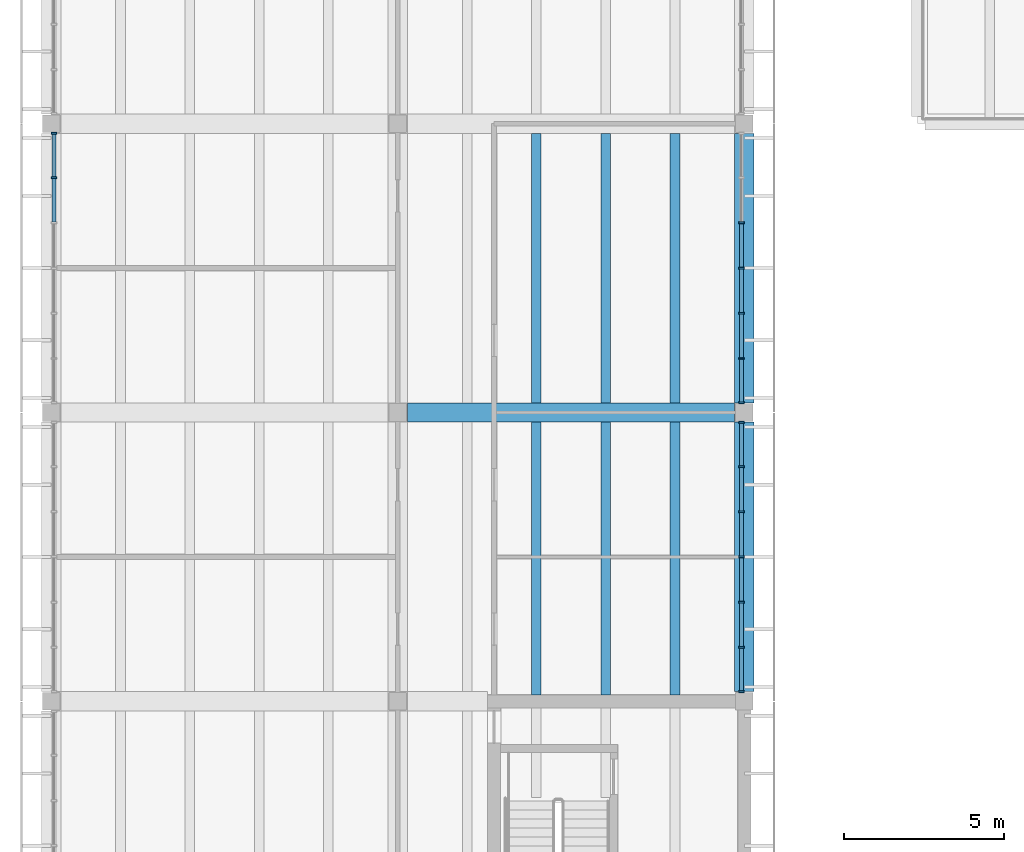
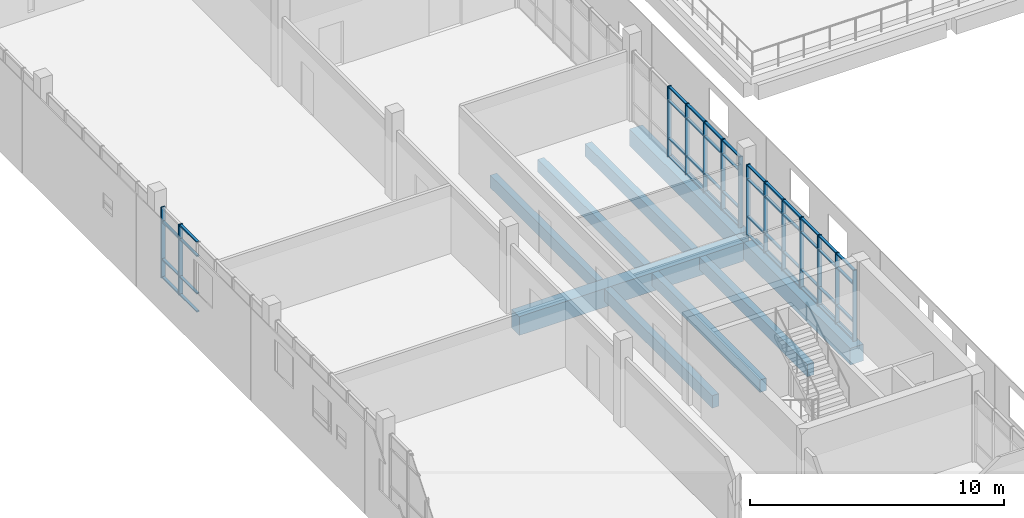
# One storey, part 18 of 74: 61 members, 9 beams, 3 elements without a shape of their own.
"""IFC4 building model written with IfcOpenShell, lengths in metres."""

from ifc_helpers import new_model, si_unit, direction, frame, origin, origin_2d, place, context, subcontext, project, spatial, rectangle, extrude, material, material_profile, profile_set, type_object, element, aggregate, save


model = new_model("IFC4")

# Units and contexts
model_context = context("Model", 3, precision=1e-05, world=origin(), true_north=direction((0.0, 1.0)))
body_context = subcontext(model_context, "Body", "Model", "MODEL_VIEW")
ifc_project = project(units=[si_unit("LENGTHUNIT", "METRE"), si_unit("AREAUNIT", "SQUARE_METRE"), si_unit("VOLUMEUNIT", "CUBIC_METRE"), si_unit("PLANEANGLEUNIT", "RADIAN"), si_unit("MASSUNIT", "GRAM", prefix="KILO")], contexts=[model_context])

# Site, building, storey
site_placement = place(None, origin())
site = spatial("IfcSite", under=ifc_project, at=site_placement, CompositionType="ELEMENT")
building_placement = place(site_placement, origin())
building = spatial("IfcBuilding", under=site, at=building_placement, Name="Merrow Basin Faculty of Sciences", CompositionType="ELEMENT")
storey_placement = place(building_placement, frame((0.0, 0.0, 13.5)))
storey = spatial("IfcBuildingStorey", under=building, at=storey_placement, Name="L03", CompositionType="ELEMENT", Elevation=13.5)

# Curtain wall, members
ifc_material_1 = material(Name="Aluminium alloy 6063", Category="aluminium")
curtain_wall_type = type_object("IfcCurtainWallType", Name="Bar unitised curtain wall 180", PredefinedType="NOTDEFINED", material=ifc_material_1)
curtain_wall_1_placement = place(storey_placement, origin())
curtain_wall_1 = element("IfcCurtainWall", 1, at=curtain_wall_1_placement, inside=storey, type_object=curtain_wall_type, Name="West curtain wall L03 5", PredefinedType="NOTDEFINED")
ifc_material_2 = material(Name="Aluminium alloy 6063", Category="aluminium")
ifc_material_profile_1 = material_profile(ifc_material_2, rectangle(XDim=0.179931640625, YDim=0.06005859375, at=origin_2d()))
ifc_profile_set_1 = profile_set([ifc_material_profile_1], Name="Aluminium alloy 6063")
member_type_1 = type_object("IfcMemberType", Name="Aluminium mullion 60x180", PredefinedType="MULLION", material=ifc_profile_set_1)
member_1_placement = place(storey_placement, frame((0.090087890625, 113.316650390625, 0.0), z_axis=(0.0, 0.0, 1.0), x_axis=(-1.0, 0.0, 0.0)))
member_1 = element("IfcMember", 2, at=member_1_placement, type_object=member_type_1, Name="CW1 mullion 6", PredefinedType="MULLION", context=body_context, shape_type="SweptSolid", body=[
    extrude(rectangle(XDim=0.179931640625, YDim=0.06005859375, at=origin_2d()), origin(), (0.0, 0.0, 1.0), 3.39990234375),
])
member_2_placement = place(storey_placement, frame((0.090087890625, 114.695068359375, 0.0), z_axis=(0.0, 0.0, 1.0), x_axis=(-1.0, 0.0, 0.0)))
member_2 = element("IfcMember", 3, at=member_2_placement, type_object=member_type_1, Name="CW1 mullion 7", PredefinedType="MULLION", context=body_context, shape_type="SweptSolid", body=[
    extrude(rectangle(XDim=0.179931640625, YDim=0.06005859375, at=origin_2d()), origin(), (0.0, 0.0, 1.0), 3.39990234375),
])

curtain_wall_2_placement = place(storey_placement, origin())
curtain_wall_2 = element("IfcCurtainWall", 4, at=curtain_wall_2_placement, inside=storey, type_object=curtain_wall_type, Name="East curtain wall L03 4", PredefinedType="NOTDEFINED")
member_3_placement = place(storey_placement, frame((21.510009765625, 97.304931640625, 0.0), z_axis=(0.0, 0.0, 1.0), x_axis=(-1.0, 0.0, 0.0)))
member_3 = element("IfcMember", 5, at=member_3_placement, type_object=member_type_1, Name="CW1 mullion 1", PredefinedType="MULLION", context=body_context, shape_type="SweptSolid", body=[
    extrude(rectangle(XDim=0.179931640625, YDim=0.06005859375, at=origin_2d()), origin(), (0.0, 0.0, 1.0), 3.39990234375),
])
member_4_placement = place(storey_placement, frame((21.510009765625, 98.683349609375, 0.0), z_axis=(0.0, 0.0, 1.0), x_axis=(-1.0, 0.0, 0.0)))
member_4 = element("IfcMember", 6, at=member_4_placement, type_object=member_type_1, Name="CW1 mullion 2", PredefinedType="MULLION", context=body_context, shape_type="SweptSolid", body=[
    extrude(rectangle(XDim=0.179931640625, YDim=0.06005859375, at=origin_2d()), origin(), (0.0, 0.0, 1.0), 3.39990234375),
])
member_5_placement = place(storey_placement, frame((21.510009765625, 100.091552734375, 0.0), z_axis=(0.0, 0.0, 1.0), x_axis=(-1.0, 0.0, 0.0)))
member_5 = element("IfcMember", 7, at=member_5_placement, type_object=member_type_1, Name="CW1 mullion 3", PredefinedType="MULLION", context=body_context, shape_type="SweptSolid", body=[
    extrude(rectangle(XDim=0.179931640625, YDim=0.06005859375, at=origin_2d()), origin(), (0.0, 0.0, 1.0), 3.39990234375),
])
member_6_placement = place(storey_placement, frame((21.510009765625, 101.5, 0.0), z_axis=(0.0, 0.0, 1.0), x_axis=(-1.0, 0.0, 0.0)))
member_6 = element("IfcMember", 8, at=member_6_placement, type_object=member_type_1, Name="CW1 mullion 4", PredefinedType="MULLION", context=body_context, shape_type="SweptSolid", body=[
    extrude(rectangle(XDim=0.179931640625, YDim=0.06005859375, at=origin_2d()), origin(), (0.0, 0.0, 1.0), 3.39990234375),
])
member_7_placement = place(storey_placement, frame((21.510009765625, 102.908447265625, 0.0), z_axis=(0.0, 0.0, 1.0), x_axis=(-1.0, 0.0, 0.0)))
member_7 = element("IfcMember", 9, at=member_7_placement, type_object=member_type_1, Name="CW1 mullion 5", PredefinedType="MULLION", context=body_context, shape_type="SweptSolid", body=[
    extrude(rectangle(XDim=0.179931640625, YDim=0.06005859375, at=origin_2d()), origin(), (0.0, 0.0, 1.0), 3.39990234375),
])
member_8_placement = place(storey_placement, frame((21.510009765625, 104.316650390625, 0.0), z_axis=(0.0, 0.0, 1.0), x_axis=(-1.0, 0.0, 0.0)))
member_8 = element("IfcMember", 10, at=member_8_placement, type_object=member_type_1, Name="CW1 mullion 6", PredefinedType="MULLION", context=body_context, shape_type="SweptSolid", body=[
    extrude(rectangle(XDim=0.179931640625, YDim=0.06005859375, at=origin_2d()), origin(), (0.0, 0.0, 1.0), 3.39990234375),
])
member_9_placement = place(storey_placement, frame((21.510009765625, 105.695068359375, 0.0), z_axis=(0.0, 0.0, 1.0), x_axis=(-1.0, 0.0, 0.0)))
member_9 = element("IfcMember", 11, at=member_9_placement, type_object=member_type_1, Name="CW1 mullion 7", PredefinedType="MULLION", context=body_context, shape_type="SweptSolid", body=[
    extrude(rectangle(XDim=0.179931640625, YDim=0.06005859375, at=origin_2d()), origin(), (0.0, 0.0, 1.0), 3.39990234375),
])

curtain_wall_3_placement = place(storey_placement, origin())
curtain_wall_3 = element("IfcCurtainWall", 12, at=curtain_wall_3_placement, inside=storey, type_object=curtain_wall_type, Name="East curtain wall L03 5", PredefinedType="NOTDEFINED")
member_10_placement = place(storey_placement, frame((21.510009765625, 106.304931640625, 0.0), z_axis=(0.0, 0.0, 1.0), x_axis=(-1.0, 0.0, 0.0)))
member_10 = element("IfcMember", 13, at=member_10_placement, type_object=member_type_1, Name="CW1 mullion 1", PredefinedType="MULLION", context=body_context, shape_type="SweptSolid", body=[
    extrude(rectangle(XDim=0.179931640625, YDim=0.06005859375, at=origin_2d()), origin(), (0.0, 0.0, 1.0), 3.39990234375),
])
member_11_placement = place(storey_placement, frame((21.510009765625, 107.683349609375, 0.0), z_axis=(0.0, 0.0, 1.0), x_axis=(-1.0, 0.0, 0.0)))
member_11 = element("IfcMember", 14, at=member_11_placement, type_object=member_type_1, Name="CW1 mullion 2", PredefinedType="MULLION", context=body_context, shape_type="SweptSolid", body=[
    extrude(rectangle(XDim=0.179931640625, YDim=0.06005859375, at=origin_2d()), origin(), (0.0, 0.0, 1.0), 3.39990234375),
])
member_12_placement = place(storey_placement, frame((21.510009765625, 109.091552734375, 0.0), z_axis=(0.0, 0.0, 1.0), x_axis=(-1.0, 0.0, 0.0)))
member_12 = element("IfcMember", 15, at=member_12_placement, type_object=member_type_1, Name="CW1 mullion 3", PredefinedType="MULLION", context=body_context, shape_type="SweptSolid", body=[
    extrude(rectangle(XDim=0.179931640625, YDim=0.06005859375, at=origin_2d()), origin(), (0.0, 0.0, 1.0), 3.39990234375),
])
member_13_placement = place(storey_placement, frame((21.510009765625, 110.5, 0.0), z_axis=(0.0, 0.0, 1.0), x_axis=(-1.0, 0.0, 0.0)))
member_13 = element("IfcMember", 16, at=member_13_placement, type_object=member_type_1, Name="CW1 mullion 4", PredefinedType="MULLION", context=body_context, shape_type="SweptSolid", body=[
    extrude(rectangle(XDim=0.179931640625, YDim=0.06005859375, at=origin_2d()), origin(), (0.0, 0.0, 1.0), 3.39990234375),
])
member_14_placement = place(storey_placement, frame((21.510009765625, 111.908447265625, 0.0), z_axis=(0.0, 0.0, 1.0), x_axis=(-1.0, 0.0, 0.0)))
member_14 = element("IfcMember", 17, at=member_14_placement, type_object=member_type_1, Name="CW1 mullion 5", PredefinedType="MULLION", context=body_context, shape_type="SweptSolid", body=[
    extrude(rectangle(XDim=0.179931640625, YDim=0.06005859375, at=origin_2d()), origin(), (0.0, 0.0, 1.0), 3.39990234375),
])

# Member
ifc_material_3 = material(Name="Aluminium alloy 6063", Category="aluminium")
ifc_material_profile_2 = material_profile(ifc_material_3, rectangle(XDim=0.1201171875, YDim=0.06005859375, at=origin_2d()))
ifc_profile_set_2 = profile_set([ifc_material_profile_2], Name="Aluminium alloy 6063")
member_type_2 = type_object("IfcMemberType", Name="Aluminium transom 60x120", PredefinedType="USERDEFINED", material=ifc_profile_set_2)
member_15_placement = place(storey_placement, frame((0.090087890625, 111.938232421875, 0.030029296875), z_axis=(0.0, 1.0, 0.0), x_axis=(-1.0, 0.0, 0.0)))
member_15 = element("IfcMember", 18, at=member_15_placement, type_object=member_type_2, Name="CW1 transom 5.1", ObjectType="TRANSOM", PredefinedType="USERDEFINED", context=body_context, shape_type="SweptSolid", body=[
    extrude(rectangle(XDim=0.1201171875, YDim=0.06005859375, at=origin_2d()), origin(), (0.0, 0.0, 1.0), 1.348388671875),
])

member_16_placement = place(storey_placement, frame((0.090087890625, 111.938232421875, 0.89990234375), z_axis=(0.0, 1.0, 0.0), x_axis=(-1.0, 0.0, 0.0)))
member_16 = element("IfcMember", 19, at=member_16_placement, type_object=member_type_2, Name="CW1 transom 5.2", ObjectType="TRANSOM", PredefinedType="USERDEFINED", context=body_context, shape_type="SweptSolid", body=[
    extrude(rectangle(XDim=0.1201171875, YDim=0.06005859375, at=origin_2d()), origin(), (0.0, 0.0, 1.0), 1.348388671875),
])

member_17_placement = place(storey_placement, frame((0.090087890625, 111.938232421875, 2.699951171875), z_axis=(0.0, 1.0, 0.0), x_axis=(-1.0, 0.0, 0.0)))
member_17 = element("IfcMember", 20, at=member_17_placement, type_object=member_type_2, Name="CW1 transom 5.3", ObjectType="TRANSOM", PredefinedType="USERDEFINED", context=body_context, shape_type="SweptSolid", body=[
    extrude(rectangle(XDim=0.1201171875, YDim=0.06005859375, at=origin_2d()), origin(), (0.0, 0.0, 1.0), 1.348388671875),
])

member_18_placement = place(storey_placement, frame((0.090087890625, 111.938232421875, 3.3701171875), z_axis=(0.0, 1.0, 0.0), x_axis=(-1.0, 0.0, 0.0)))
member_18 = element("IfcMember", 21, at=member_18_placement, type_object=member_type_2, Name="CW1 transom 5.4", ObjectType="TRANSOM", PredefinedType="USERDEFINED", context=body_context, shape_type="SweptSolid", body=[
    extrude(rectangle(XDim=0.1201171875, YDim=0.06005859375, at=origin_2d()), origin(), (0.0, 0.0, 1.0), 1.348388671875),
])

member_19_placement = place(storey_placement, frame((0.090087890625, 113.3466796875, 0.030029296875), z_axis=(0.0, 1.0, 0.0), x_axis=(-1.0, 0.0, 0.0)))
member_19 = element("IfcMember", 22, at=member_19_placement, type_object=member_type_2, Name="CW1 transom 6.1", ObjectType="TRANSOM", PredefinedType="USERDEFINED", context=body_context, shape_type="SweptSolid", body=[
    extrude(rectangle(XDim=0.1201171875, YDim=0.06005859375, at=origin_2d()), origin(), (0.0, 0.0, 1.0), 1.318359375),
])

member_20_placement = place(storey_placement, frame((0.090087890625, 113.3466796875, 0.89990234375), z_axis=(0.0, 1.0, 0.0), x_axis=(-1.0, 0.0, 0.0)))
member_20 = element("IfcMember", 23, at=member_20_placement, type_object=member_type_2, Name="CW1 transom 6.2", ObjectType="TRANSOM", PredefinedType="USERDEFINED", context=body_context, shape_type="SweptSolid", body=[
    extrude(rectangle(XDim=0.1201171875, YDim=0.06005859375, at=origin_2d()), origin(), (0.0, 0.0, 1.0), 1.318359375),
])

member_21_placement = place(storey_placement, frame((0.090087890625, 113.3466796875, 2.699951171875), z_axis=(0.0, 1.0, 0.0), x_axis=(-1.0, 0.0, 0.0)))
member_21 = element("IfcMember", 24, at=member_21_placement, type_object=member_type_2, Name="CW1 transom 6.3", ObjectType="TRANSOM", PredefinedType="USERDEFINED", context=body_context, shape_type="SweptSolid", body=[
    extrude(rectangle(XDim=0.1201171875, YDim=0.06005859375, at=origin_2d()), origin(), (0.0, 0.0, 1.0), 1.318359375),
])

aggregate(curtain_wall_1, [member_1, member_2, member_15, member_16, member_17, member_18, member_19, member_20, member_21])

member_22_placement = place(storey_placement, frame((21.510009765625, 97.3349609375, 0.030029296875), z_axis=(0.0, 1.0, 0.0), x_axis=(-1.0, 0.0, 0.0)))
member_22 = element("IfcMember", 25, at=member_22_placement, type_object=member_type_2, Name="CW1 transom 1.1", ObjectType="TRANSOM", PredefinedType="USERDEFINED", context=body_context, shape_type="SweptSolid", body=[
    extrude(rectangle(XDim=0.1201171875, YDim=0.06005859375, at=origin_2d()), origin(), (0.0, 0.0, 1.0), 1.318359375),
])

member_23_placement = place(storey_placement, frame((21.510009765625, 97.3349609375, 0.89990234375), z_axis=(0.0, 1.0, 0.0), x_axis=(-1.0, 0.0, 0.0)))
member_23 = element("IfcMember", 26, at=member_23_placement, type_object=member_type_2, Name="CW1 transom 1.2", ObjectType="TRANSOM", PredefinedType="USERDEFINED", context=body_context, shape_type="SweptSolid", body=[
    extrude(rectangle(XDim=0.1201171875, YDim=0.06005859375, at=origin_2d()), origin(), (0.0, 0.0, 1.0), 1.318359375),
])

member_24_placement = place(storey_placement, frame((21.510009765625, 97.3349609375, 2.699951171875), z_axis=(0.0, 1.0, 0.0), x_axis=(-1.0, 0.0, 0.0)))
member_24 = element("IfcMember", 27, at=member_24_placement, type_object=member_type_2, Name="CW1 transom 1.3", ObjectType="TRANSOM", PredefinedType="USERDEFINED", context=body_context, shape_type="SweptSolid", body=[
    extrude(rectangle(XDim=0.1201171875, YDim=0.06005859375, at=origin_2d()), origin(), (0.0, 0.0, 1.0), 1.318359375),
])

member_25_placement = place(storey_placement, frame((21.510009765625, 97.3349609375, 3.3701171875), z_axis=(0.0, 1.0, 0.0), x_axis=(-1.0, 0.0, 0.0)))
member_25 = element("IfcMember", 28, at=member_25_placement, type_object=member_type_2, Name="CW1 transom 1.4", ObjectType="TRANSOM", PredefinedType="USERDEFINED", context=body_context, shape_type="SweptSolid", body=[
    extrude(rectangle(XDim=0.1201171875, YDim=0.06005859375, at=origin_2d()), origin(), (0.0, 0.0, 1.0), 1.318359375),
])

member_26_placement = place(storey_placement, frame((21.510009765625, 98.71337890625, 0.030029296875), z_axis=(0.0, 1.0, 0.0), x_axis=(-1.0, 0.0, 0.0)))
member_26 = element("IfcMember", 29, at=member_26_placement, type_object=member_type_2, Name="CW1 transom 2.1", ObjectType="TRANSOM", PredefinedType="USERDEFINED", context=body_context, shape_type="SweptSolid", body=[
    extrude(rectangle(XDim=0.1201171875, YDim=0.06005859375, at=origin_2d()), origin(), (0.0, 0.0, 1.0), 1.348388671875),
])

member_27_placement = place(storey_placement, frame((21.510009765625, 98.71337890625, 0.89990234375), z_axis=(0.0, 1.0, 0.0), x_axis=(-1.0, 0.0, 0.0)))
member_27 = element("IfcMember", 30, at=member_27_placement, type_object=member_type_2, Name="CW1 transom 2.2", ObjectType="TRANSOM", PredefinedType="USERDEFINED", context=body_context, shape_type="SweptSolid", body=[
    extrude(rectangle(XDim=0.1201171875, YDim=0.06005859375, at=origin_2d()), origin(), (0.0, 0.0, 1.0), 1.348388671875),
])

member_28_placement = place(storey_placement, frame((21.510009765625, 98.71337890625, 2.699951171875), z_axis=(0.0, 1.0, 0.0), x_axis=(-1.0, 0.0, 0.0)))
member_28 = element("IfcMember", 31, at=member_28_placement, type_object=member_type_2, Name="CW1 transom 2.3", ObjectType="TRANSOM", PredefinedType="USERDEFINED", context=body_context, shape_type="SweptSolid", body=[
    extrude(rectangle(XDim=0.1201171875, YDim=0.06005859375, at=origin_2d()), origin(), (0.0, 0.0, 1.0), 1.348388671875),
])

member_29_placement = place(storey_placement, frame((21.510009765625, 98.71337890625, 3.3701171875), z_axis=(0.0, 1.0, 0.0), x_axis=(-1.0, 0.0, 0.0)))
member_29 = element("IfcMember", 32, at=member_29_placement, type_object=member_type_2, Name="CW1 transom 2.4", ObjectType="TRANSOM", PredefinedType="USERDEFINED", context=body_context, shape_type="SweptSolid", body=[
    extrude(rectangle(XDim=0.1201171875, YDim=0.06005859375, at=origin_2d()), origin(), (0.0, 0.0, 1.0), 1.348388671875),
])

member_30_placement = place(storey_placement, frame((21.510009765625, 100.12158203125, 0.030029296875), z_axis=(0.0, 1.0, 0.0), x_axis=(-1.0, 0.0, 0.0)))
member_30 = element("IfcMember", 33, at=member_30_placement, type_object=member_type_2, Name="CW1 transom 3.1", ObjectType="TRANSOM", PredefinedType="USERDEFINED", context=body_context, shape_type="SweptSolid", body=[
    extrude(rectangle(XDim=0.1201171875, YDim=0.06005859375, at=origin_2d()), origin(), (0.0, 0.0, 1.0), 1.348388671875),
])

member_31_placement = place(storey_placement, frame((21.510009765625, 100.12158203125, 0.89990234375), z_axis=(0.0, 1.0, 0.0), x_axis=(-1.0, 0.0, 0.0)))
member_31 = element("IfcMember", 34, at=member_31_placement, type_object=member_type_2, Name="CW1 transom 3.2", ObjectType="TRANSOM", PredefinedType="USERDEFINED", context=body_context, shape_type="SweptSolid", body=[
    extrude(rectangle(XDim=0.1201171875, YDim=0.06005859375, at=origin_2d()), origin(), (0.0, 0.0, 1.0), 1.348388671875),
])

member_32_placement = place(storey_placement, frame((21.510009765625, 100.12158203125, 2.699951171875), z_axis=(0.0, 1.0, 0.0), x_axis=(-1.0, 0.0, 0.0)))
member_32 = element("IfcMember", 35, at=member_32_placement, type_object=member_type_2, Name="CW1 transom 3.3", ObjectType="TRANSOM", PredefinedType="USERDEFINED", context=body_context, shape_type="SweptSolid", body=[
    extrude(rectangle(XDim=0.1201171875, YDim=0.06005859375, at=origin_2d()), origin(), (0.0, 0.0, 1.0), 1.348388671875),
])

member_33_placement = place(storey_placement, frame((21.510009765625, 100.12158203125, 3.3701171875), z_axis=(0.0, 1.0, 0.0), x_axis=(-1.0, 0.0, 0.0)))
member_33 = element("IfcMember", 36, at=member_33_placement, type_object=member_type_2, Name="CW1 transom 3.4", ObjectType="TRANSOM", PredefinedType="USERDEFINED", context=body_context, shape_type="SweptSolid", body=[
    extrude(rectangle(XDim=0.1201171875, YDim=0.06005859375, at=origin_2d()), origin(), (0.0, 0.0, 1.0), 1.348388671875),
])

member_34_placement = place(storey_placement, frame((21.510009765625, 101.530029296875, 0.030029296875), z_axis=(0.0, 1.0, 0.0), x_axis=(-1.0, 0.0, 0.0)))
member_34 = element("IfcMember", 37, at=member_34_placement, type_object=member_type_2, Name="CW1 transom 4.1", ObjectType="TRANSOM", PredefinedType="USERDEFINED", context=body_context, shape_type="SweptSolid", body=[
    extrude(rectangle(XDim=0.1201171875, YDim=0.06005859375, at=origin_2d()), origin(), (0.0, 0.0, 1.0), 1.348388671875),
])

member_35_placement = place(storey_placement, frame((21.510009765625, 101.530029296875, 0.89990234375), z_axis=(0.0, 1.0, 0.0), x_axis=(-1.0, 0.0, 0.0)))
member_35 = element("IfcMember", 38, at=member_35_placement, type_object=member_type_2, Name="CW1 transom 4.2", ObjectType="TRANSOM", PredefinedType="USERDEFINED", context=body_context, shape_type="SweptSolid", body=[
    extrude(rectangle(XDim=0.1201171875, YDim=0.06005859375, at=origin_2d()), origin(), (0.0, 0.0, 1.0), 1.348388671875),
])

member_36_placement = place(storey_placement, frame((21.510009765625, 101.530029296875, 2.699951171875), z_axis=(0.0, 1.0, 0.0), x_axis=(-1.0, 0.0, 0.0)))
member_36 = element("IfcMember", 39, at=member_36_placement, type_object=member_type_2, Name="CW1 transom 4.3", ObjectType="TRANSOM", PredefinedType="USERDEFINED", context=body_context, shape_type="SweptSolid", body=[
    extrude(rectangle(XDim=0.1201171875, YDim=0.06005859375, at=origin_2d()), origin(), (0.0, 0.0, 1.0), 1.348388671875),
])

member_37_placement = place(storey_placement, frame((21.510009765625, 101.530029296875, 3.3701171875), z_axis=(0.0, 1.0, 0.0), x_axis=(-1.0, 0.0, 0.0)))
member_37 = element("IfcMember", 40, at=member_37_placement, type_object=member_type_2, Name="CW1 transom 4.4", ObjectType="TRANSOM", PredefinedType="USERDEFINED", context=body_context, shape_type="SweptSolid", body=[
    extrude(rectangle(XDim=0.1201171875, YDim=0.06005859375, at=origin_2d()), origin(), (0.0, 0.0, 1.0), 1.348388671875),
])

member_38_placement = place(storey_placement, frame((21.510009765625, 102.938232421875, 0.030029296875), z_axis=(0.0, 1.0, 0.0), x_axis=(-1.0, 0.0, 0.0)))
member_38 = element("IfcMember", 41, at=member_38_placement, type_object=member_type_2, Name="CW1 transom 5.1", ObjectType="TRANSOM", PredefinedType="USERDEFINED", context=body_context, shape_type="SweptSolid", body=[
    extrude(rectangle(XDim=0.1201171875, YDim=0.06005859375, at=origin_2d()), origin(), (0.0, 0.0, 1.0), 1.348388671875),
])

member_39_placement = place(storey_placement, frame((21.510009765625, 102.938232421875, 0.89990234375), z_axis=(0.0, 1.0, 0.0), x_axis=(-1.0, 0.0, 0.0)))
member_39 = element("IfcMember", 42, at=member_39_placement, type_object=member_type_2, Name="CW1 transom 5.2", ObjectType="TRANSOM", PredefinedType="USERDEFINED", context=body_context, shape_type="SweptSolid", body=[
    extrude(rectangle(XDim=0.1201171875, YDim=0.06005859375, at=origin_2d()), origin(), (0.0, 0.0, 1.0), 1.348388671875),
])

member_40_placement = place(storey_placement, frame((21.510009765625, 102.938232421875, 2.699951171875), z_axis=(0.0, 1.0, 0.0), x_axis=(-1.0, 0.0, 0.0)))
member_40 = element("IfcMember", 43, at=member_40_placement, type_object=member_type_2, Name="CW1 transom 5.3", ObjectType="TRANSOM", PredefinedType="USERDEFINED", context=body_context, shape_type="SweptSolid", body=[
    extrude(rectangle(XDim=0.1201171875, YDim=0.06005859375, at=origin_2d()), origin(), (0.0, 0.0, 1.0), 1.348388671875),
])

member_41_placement = place(storey_placement, frame((21.510009765625, 102.938232421875, 3.3701171875), z_axis=(0.0, 1.0, 0.0), x_axis=(-1.0, 0.0, 0.0)))
member_41 = element("IfcMember", 44, at=member_41_placement, type_object=member_type_2, Name="CW1 transom 5.4", ObjectType="TRANSOM", PredefinedType="USERDEFINED", context=body_context, shape_type="SweptSolid", body=[
    extrude(rectangle(XDim=0.1201171875, YDim=0.06005859375, at=origin_2d()), origin(), (0.0, 0.0, 1.0), 1.348388671875),
])

member_42_placement = place(storey_placement, frame((21.510009765625, 104.3466796875, 0.030029296875), z_axis=(0.0, 1.0, 0.0), x_axis=(-1.0, 0.0, 0.0)))
member_42 = element("IfcMember", 45, at=member_42_placement, type_object=member_type_2, Name="CW1 transom 6.1", ObjectType="TRANSOM", PredefinedType="USERDEFINED", context=body_context, shape_type="SweptSolid", body=[
    extrude(rectangle(XDim=0.1201171875, YDim=0.06005859375, at=origin_2d()), origin(), (0.0, 0.0, 1.0), 1.318359375),
])

member_43_placement = place(storey_placement, frame((21.510009765625, 104.3466796875, 0.89990234375), z_axis=(0.0, 1.0, 0.0), x_axis=(-1.0, 0.0, 0.0)))
member_43 = element("IfcMember", 46, at=member_43_placement, type_object=member_type_2, Name="CW1 transom 6.2", ObjectType="TRANSOM", PredefinedType="USERDEFINED", context=body_context, shape_type="SweptSolid", body=[
    extrude(rectangle(XDim=0.1201171875, YDim=0.06005859375, at=origin_2d()), origin(), (0.0, 0.0, 1.0), 1.318359375),
])

member_44_placement = place(storey_placement, frame((21.510009765625, 104.3466796875, 2.699951171875), z_axis=(0.0, 1.0, 0.0), x_axis=(-1.0, 0.0, 0.0)))
member_44 = element("IfcMember", 47, at=member_44_placement, type_object=member_type_2, Name="CW1 transom 6.3", ObjectType="TRANSOM", PredefinedType="USERDEFINED", context=body_context, shape_type="SweptSolid", body=[
    extrude(rectangle(XDim=0.1201171875, YDim=0.06005859375, at=origin_2d()), origin(), (0.0, 0.0, 1.0), 1.318359375),
])

member_45_placement = place(storey_placement, frame((21.510009765625, 104.3466796875, 3.3701171875), z_axis=(0.0, 1.0, 0.0), x_axis=(-1.0, 0.0, 0.0)))
member_45 = element("IfcMember", 48, at=member_45_placement, type_object=member_type_2, Name="CW1 transom 6.4", ObjectType="TRANSOM", PredefinedType="USERDEFINED", context=body_context, shape_type="SweptSolid", body=[
    extrude(rectangle(XDim=0.1201171875, YDim=0.06005859375, at=origin_2d()), origin(), (0.0, 0.0, 1.0), 1.318359375),
])

aggregate(curtain_wall_2, [member_3, member_4, member_5, member_6, member_7, member_8, member_9, member_22, member_23, member_24, member_25, member_26, member_27, member_28, member_29, member_30, member_31, member_32, member_33, member_34, member_35, member_36, member_37, member_38, member_39, member_40, member_41, member_42, member_43, member_44, member_45])

member_46_placement = place(storey_placement, frame((21.510009765625, 106.3349609375, 0.030029296875), z_axis=(0.0, 1.0, 0.0), x_axis=(-1.0, 0.0, 0.0)))
member_46 = element("IfcMember", 49, at=member_46_placement, type_object=member_type_2, Name="CW1 transom 1.1", ObjectType="TRANSOM", PredefinedType="USERDEFINED", context=body_context, shape_type="SweptSolid", body=[
    extrude(rectangle(XDim=0.1201171875, YDim=0.06005859375, at=origin_2d()), origin(), (0.0, 0.0, 1.0), 1.318359375),
])

member_47_placement = place(storey_placement, frame((21.510009765625, 106.3349609375, 0.89990234375), z_axis=(0.0, 1.0, 0.0), x_axis=(-1.0, 0.0, 0.0)))
member_47 = element("IfcMember", 50, at=member_47_placement, type_object=member_type_2, Name="CW1 transom 1.2", ObjectType="TRANSOM", PredefinedType="USERDEFINED", context=body_context, shape_type="SweptSolid", body=[
    extrude(rectangle(XDim=0.1201171875, YDim=0.06005859375, at=origin_2d()), origin(), (0.0, 0.0, 1.0), 1.318359375),
])

member_48_placement = place(storey_placement, frame((21.510009765625, 106.3349609375, 2.699951171875), z_axis=(0.0, 1.0, 0.0), x_axis=(-1.0, 0.0, 0.0)))
member_48 = element("IfcMember", 51, at=member_48_placement, type_object=member_type_2, Name="CW1 transom 1.3", ObjectType="TRANSOM", PredefinedType="USERDEFINED", context=body_context, shape_type="SweptSolid", body=[
    extrude(rectangle(XDim=0.1201171875, YDim=0.06005859375, at=origin_2d()), origin(), (0.0, 0.0, 1.0), 1.318359375),
])

member_49_placement = place(storey_placement, frame((21.510009765625, 106.3349609375, 3.3701171875), z_axis=(0.0, 1.0, 0.0), x_axis=(-1.0, 0.0, 0.0)))
member_49 = element("IfcMember", 52, at=member_49_placement, type_object=member_type_2, Name="CW1 transom 1.4", ObjectType="TRANSOM", PredefinedType="USERDEFINED", context=body_context, shape_type="SweptSolid", body=[
    extrude(rectangle(XDim=0.1201171875, YDim=0.06005859375, at=origin_2d()), origin(), (0.0, 0.0, 1.0), 1.318359375),
])

member_50_placement = place(storey_placement, frame((21.510009765625, 107.71337890625, 0.030029296875), z_axis=(0.0, 1.0, 0.0), x_axis=(-1.0, 0.0, 0.0)))
member_50 = element("IfcMember", 53, at=member_50_placement, type_object=member_type_2, Name="CW1 transom 2.1", ObjectType="TRANSOM", PredefinedType="USERDEFINED", context=body_context, shape_type="SweptSolid", body=[
    extrude(rectangle(XDim=0.1201171875, YDim=0.06005859375, at=origin_2d()), origin(), (0.0, 0.0, 1.0), 1.348388671875),
])

member_51_placement = place(storey_placement, frame((21.510009765625, 107.71337890625, 0.89990234375), z_axis=(0.0, 1.0, 0.0), x_axis=(-1.0, 0.0, 0.0)))
member_51 = element("IfcMember", 54, at=member_51_placement, type_object=member_type_2, Name="CW1 transom 2.2", ObjectType="TRANSOM", PredefinedType="USERDEFINED", context=body_context, shape_type="SweptSolid", body=[
    extrude(rectangle(XDim=0.1201171875, YDim=0.06005859375, at=origin_2d()), origin(), (0.0, 0.0, 1.0), 1.348388671875),
])

member_52_placement = place(storey_placement, frame((21.510009765625, 107.71337890625, 2.699951171875), z_axis=(0.0, 1.0, 0.0), x_axis=(-1.0, 0.0, 0.0)))
member_52 = element("IfcMember", 55, at=member_52_placement, type_object=member_type_2, Name="CW1 transom 2.3", ObjectType="TRANSOM", PredefinedType="USERDEFINED", context=body_context, shape_type="SweptSolid", body=[
    extrude(rectangle(XDim=0.1201171875, YDim=0.06005859375, at=origin_2d()), origin(), (0.0, 0.0, 1.0), 1.348388671875),
])

member_53_placement = place(storey_placement, frame((21.510009765625, 107.71337890625, 3.3701171875), z_axis=(0.0, 1.0, 0.0), x_axis=(-1.0, 0.0, 0.0)))
member_53 = element("IfcMember", 56, at=member_53_placement, type_object=member_type_2, Name="CW1 transom 2.4", ObjectType="TRANSOM", PredefinedType="USERDEFINED", context=body_context, shape_type="SweptSolid", body=[
    extrude(rectangle(XDim=0.1201171875, YDim=0.06005859375, at=origin_2d()), origin(), (0.0, 0.0, 1.0), 1.348388671875),
])

member_54_placement = place(storey_placement, frame((21.510009765625, 109.12158203125, 0.030029296875), z_axis=(0.0, 1.0, 0.0), x_axis=(-1.0, 0.0, 0.0)))
member_54 = element("IfcMember", 57, at=member_54_placement, type_object=member_type_2, Name="CW1 transom 3.1", ObjectType="TRANSOM", PredefinedType="USERDEFINED", context=body_context, shape_type="SweptSolid", body=[
    extrude(rectangle(XDim=0.1201171875, YDim=0.06005859375, at=origin_2d()), origin(), (0.0, 0.0, 1.0), 1.348388671875),
])

member_55_placement = place(storey_placement, frame((21.510009765625, 109.12158203125, 0.89990234375), z_axis=(0.0, 1.0, 0.0), x_axis=(-1.0, 0.0, 0.0)))
member_55 = element("IfcMember", 58, at=member_55_placement, type_object=member_type_2, Name="CW1 transom 3.2", ObjectType="TRANSOM", PredefinedType="USERDEFINED", context=body_context, shape_type="SweptSolid", body=[
    extrude(rectangle(XDim=0.1201171875, YDim=0.06005859375, at=origin_2d()), origin(), (0.0, 0.0, 1.0), 1.348388671875),
])

member_56_placement = place(storey_placement, frame((21.510009765625, 109.12158203125, 2.699951171875), z_axis=(0.0, 1.0, 0.0), x_axis=(-1.0, 0.0, 0.0)))
member_56 = element("IfcMember", 59, at=member_56_placement, type_object=member_type_2, Name="CW1 transom 3.3", ObjectType="TRANSOM", PredefinedType="USERDEFINED", context=body_context, shape_type="SweptSolid", body=[
    extrude(rectangle(XDim=0.1201171875, YDim=0.06005859375, at=origin_2d()), origin(), (0.0, 0.0, 1.0), 1.348388671875),
])

member_57_placement = place(storey_placement, frame((21.510009765625, 109.12158203125, 3.3701171875), z_axis=(0.0, 1.0, 0.0), x_axis=(-1.0, 0.0, 0.0)))
member_57 = element("IfcMember", 60, at=member_57_placement, type_object=member_type_2, Name="CW1 transom 3.4", ObjectType="TRANSOM", PredefinedType="USERDEFINED", context=body_context, shape_type="SweptSolid", body=[
    extrude(rectangle(XDim=0.1201171875, YDim=0.06005859375, at=origin_2d()), origin(), (0.0, 0.0, 1.0), 1.348388671875),
])

member_58_placement = place(storey_placement, frame((21.510009765625, 110.530029296875, 0.030029296875), z_axis=(0.0, 1.0, 0.0), x_axis=(-1.0, 0.0, 0.0)))
member_58 = element("IfcMember", 61, at=member_58_placement, type_object=member_type_2, Name="CW1 transom 4.1", ObjectType="TRANSOM", PredefinedType="USERDEFINED", context=body_context, shape_type="SweptSolid", body=[
    extrude(rectangle(XDim=0.1201171875, YDim=0.06005859375, at=origin_2d()), origin(), (0.0, 0.0, 1.0), 1.348388671875),
])

member_59_placement = place(storey_placement, frame((21.510009765625, 110.530029296875, 0.89990234375), z_axis=(0.0, 1.0, 0.0), x_axis=(-1.0, 0.0, 0.0)))
member_59 = element("IfcMember", 62, at=member_59_placement, type_object=member_type_2, Name="CW1 transom 4.2", ObjectType="TRANSOM", PredefinedType="USERDEFINED", context=body_context, shape_type="SweptSolid", body=[
    extrude(rectangle(XDim=0.1201171875, YDim=0.06005859375, at=origin_2d()), origin(), (0.0, 0.0, 1.0), 1.348388671875),
])

member_60_placement = place(storey_placement, frame((21.510009765625, 110.530029296875, 2.699951171875), z_axis=(0.0, 1.0, 0.0), x_axis=(-1.0, 0.0, 0.0)))
member_60 = element("IfcMember", 63, at=member_60_placement, type_object=member_type_2, Name="CW1 transom 4.3", ObjectType="TRANSOM", PredefinedType="USERDEFINED", context=body_context, shape_type="SweptSolid", body=[
    extrude(rectangle(XDim=0.1201171875, YDim=0.06005859375, at=origin_2d()), origin(), (0.0, 0.0, 1.0), 1.348388671875),
])

member_61_placement = place(storey_placement, frame((21.510009765625, 110.530029296875, 3.3701171875), z_axis=(0.0, 1.0, 0.0), x_axis=(-1.0, 0.0, 0.0)))
member_61 = element("IfcMember", 64, at=member_61_placement, type_object=member_type_2, Name="CW1 transom 4.4", ObjectType="TRANSOM", PredefinedType="USERDEFINED", context=body_context, shape_type="SweptSolid", body=[
    extrude(rectangle(XDim=0.1201171875, YDim=0.06005859375, at=origin_2d()), origin(), (0.0, 0.0, 1.0), 1.348388671875),
])

aggregate(curtain_wall_3, [member_10, member_11, member_12, member_13, member_14, member_46, member_47, member_48, member_49, member_50, member_51, member_52, member_53, member_54, member_55, member_56, member_57, member_58, member_59, member_60, member_61])

# Beams
ifc_material_4 = material(Name="Concrete C40/50", Category="concrete")
ifc_material_profile_3 = material_profile(ifc_material_4, rectangle(XDim=0.60009765625, YDim=0.800048828125, at=origin_2d()))
ifc_profile_set_3 = profile_set([ifc_material_profile_3], Name="Concrete C40/50")
beam_type_1 = type_object("IfcBeamType", Name="Beam RC600x800 C40/50", PredefinedType="BEAM", material=ifc_profile_set_3)
for number, where, z_axis, x_axis, name in (
    (65, (21.60009765625, 97.300048828125, -0.699951171875), (0.0, 1.0, 0.0), (-1.0, 0.0, 0.0), "B2 L03 031"),
    (66, (21.60009765625, 106.300048828125, -0.699951171875), (0.0, 1.0, 0.0), (-1.0, 0.0, 0.0), "B2 L03 032"),
):
    element("IfcBeam", number, at=place(storey_placement, frame(where, z_axis=z_axis, x_axis=x_axis)), inside=storey, type_object=beam_type_1, Name=name, PredefinedType="BEAM", context=body_context, shape_type="SweptSolid", body=[
        extrude(rectangle(XDim=0.60009765625, YDim=0.800048828125, at=origin_2d()), origin(), (0.0, 0.0, 1.0), 8.39990234375),
    ])
ifc_material_5 = material(Name="Concrete C40/50", Category="concrete")
ifc_material_profile_4 = material_profile(ifc_material_5, rectangle(XDim=0.60009765625, YDim=0.89990234375, at=origin_2d()))
ifc_profile_set_4 = profile_set([ifc_material_profile_4], Name="Concrete C40/50")
beam_type_2 = type_object("IfcBeamType", Name="Beam RC600x900 C40/50", PredefinedType="BEAM", material=ifc_profile_set_4)
beam_placement = place(storey_placement, frame((11.10009765625, 106.0, -0.75), z_axis=(1.0, 0.0, 0.0), x_axis=(0.0, 1.0, 0.0)))
element("IfcBeam", 67, at=beam_placement, inside=storey, type_object=beam_type_2, Name="B1 L03 010", PredefinedType="BEAM", context=body_context, shape_type="SweptSolid", body=[
    extrude(rectangle(XDim=0.60009765625, YDim=0.89990234375, at=origin_2d()), origin(), (0.0, 0.0, 1.0), 10.199951171875),
])
ifc_material_6 = material(Name="Concrete C40/50", Category="concrete")
ifc_material_profile_5 = material_profile(ifc_material_6, rectangle(XDim=0.300048828125, YDim=0.60009765625, at=origin_2d()))
ifc_profile_set_5 = profile_set([ifc_material_profile_5], Name="Concrete C40/50")
beam_type_3 = type_object("IfcBeamType", Name="Laboratory floor joist RC300x600 C40/50", PredefinedType="BEAM", material=ifc_profile_set_5)
for number, where, z_axis, x_axis, name in (
    (68, (15.1201171875, 97.199951171875, -0.60009765625), (0.0, 1.0, 0.0), (-1.0, 0.0, 0.0), "JL1 L03 086"),
    (69, (17.280029296875, 97.199951171875, -0.60009765625), (0.0, 1.0, 0.0), (-1.0, 0.0, 0.0), "JL1 L03 087"),
    (70, (19.43994140625, 97.199951171875, -0.60009765625), (0.0, 1.0, 0.0), (-1.0, 0.0, 0.0), "JL1 L03 088"),
):
    element("IfcBeam", number, at=place(storey_placement, frame(where, z_axis=z_axis, x_axis=x_axis)), inside=storey, type_object=beam_type_3, Name=name, PredefinedType="BEAM", context=body_context, shape_type="SweptSolid", body=[
        extrude(rectangle(XDim=0.300048828125, YDim=0.60009765625, at=origin_2d()), origin(), (0.0, 0.0, 1.0), 8.5),
    ])
for number, where, z_axis, x_axis, name in (
    (71, (15.1201171875, 106.300048828125, -0.60009765625), (0.0, 1.0, 0.0), (-1.0, 0.0, 0.0), "JL1 L03 090"),
    (72, (17.280029296875, 106.300048828125, -0.60009765625), (0.0, 1.0, 0.0), (-1.0, 0.0, 0.0), "JL1 L03 091"),
    (73, (19.43994140625, 106.300048828125, -0.60009765625), (0.0, 1.0, 0.0), (-1.0, 0.0, 0.0), "JL1 L03 092"),
):
    element("IfcBeam", number, at=place(storey_placement, frame(where, z_axis=z_axis, x_axis=x_axis)), inside=storey, type_object=beam_type_3, Name=name, PredefinedType="BEAM", context=body_context, shape_type="SweptSolid", body=[
        extrude(rectangle(XDim=0.300048828125, YDim=0.60009765625, at=origin_2d()), origin(), (0.0, 0.0, 1.0), 8.39990234375),
    ])

save(model, "model.ifc")
